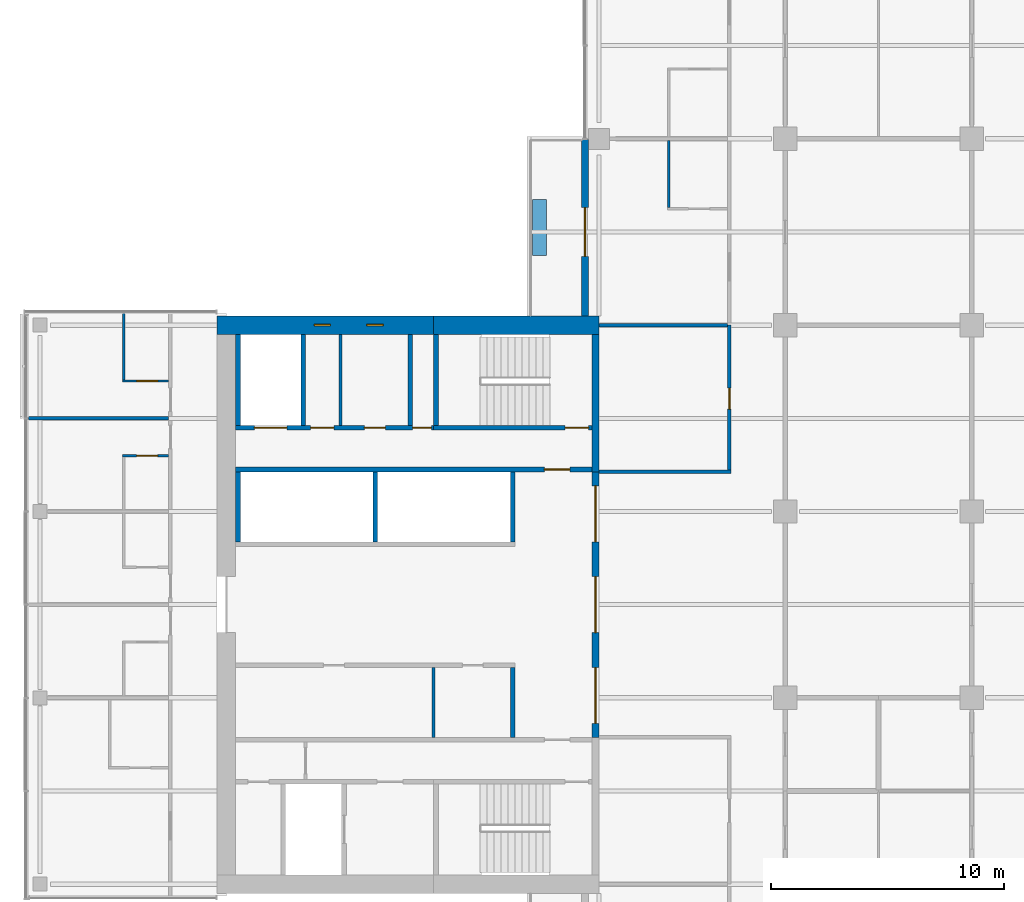
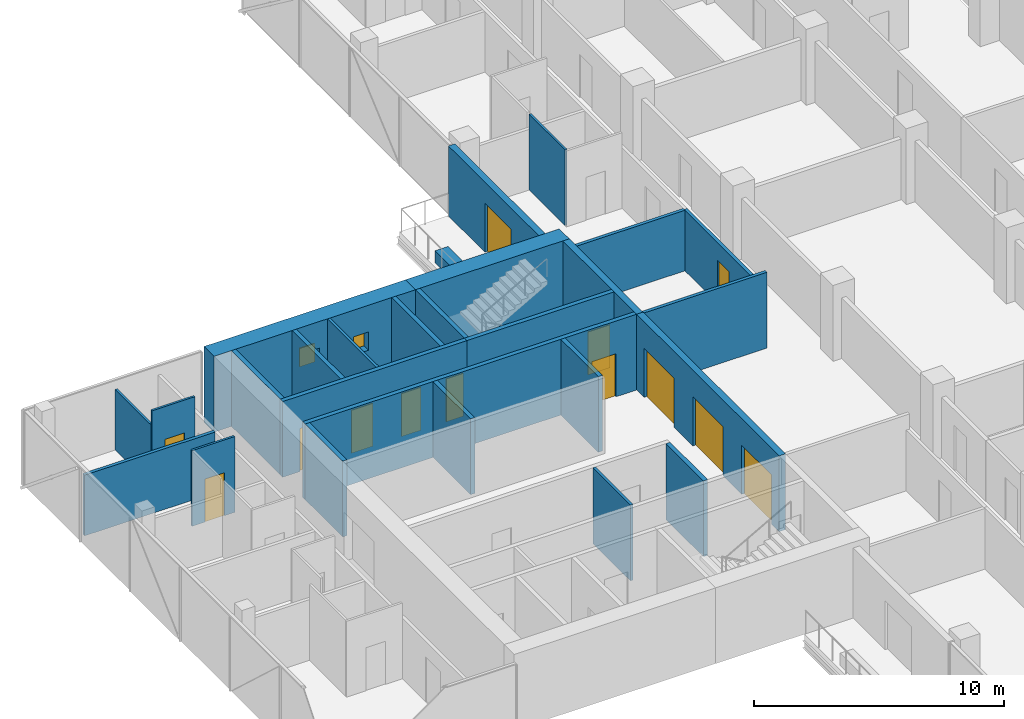
# One storey, part 17 of 25: 27 walls, 13 doors, 2 windows, 15 openings.
"""IFC4 building model written with IfcOpenShell, lengths in metres."""

import ifcopenshell
import ifcopenshell.guid

model = None  # the IFC model being written
_history = None  # IfcOwnerHistory: only IFC2X3 demands one
_inside = {}  # id of a spatial element -> (the spatial element, [elements in it])
_under = {}  # id of a project, library or spatial element -> (it, [spatial elements below it])
_declared = {}  # id of a project -> (the project, [libraries it declares])
_typed = {}  # id of a type object -> (the type object, [elements of that type])
_made_of = {}  # id of a material, layer set ... -> (it, [elements and type objects made of it])


def new_model(schema):
    """Start an empty IFC model of exactly this schema.

    Asked for "IFC4X3", IfcOpenShell would pick the latest addendum, in which some entities
    have other attributes; the version numbers below select the first issue.
    IFC2X3 requires an IfcOwnerHistory on every rooted entity: one is made here for all.
    """
    global model, _history
    if schema == "IFC4X3":
        model = ifcopenshell.file(schema_version=(4, 3, 0, 0))
    else:
        model = ifcopenshell.file(schema=schema)
    _inside.clear()
    _under.clear()
    _declared.clear()
    _typed.clear()
    _made_of.clear()
    _history = None
    if model.schema == "IFC2X3":
        org = make("IfcOrganization", Name="unknown")
        user = make(
            "IfcPersonAndOrganization",
            ThePerson=make("IfcPerson", FamilyName="unknown"),
            TheOrganization=org,
        )
        app = make(
            "IfcApplication",
            ApplicationDeveloper=org,
            Version="unknown",
            ApplicationFullName="unknown",
            ApplicationIdentifier="unknown",
        )
        _history = make(
            "IfcOwnerHistory",
            OwningUser=user,
            OwningApplication=app,
            ChangeAction="ADDED",
            CreationDate=0,
        )
    return model


def make(cls, **values):
    """One entity of the class cls with the attributes given. An attribute that is None is left unset."""
    return model.create_entity(
        cls, **{name: value for name, value in values.items() if value is not None}
    )


def rooted(cls, **values):
    """An entity with a GlobalId (a new one), such as an element, a storey or a relation."""
    return make(cls, GlobalId=ifcopenshell.guid.new(), OwnerHistory=_history, **values)


def si_unit(unit_type, name, prefix=None):
    """IfcSIUnit, for example si_unit("LENGTHUNIT", "METRE", prefix="MILLI")."""
    return make("IfcSIUnit", UnitType=unit_type, Prefix=prefix, Name=name)


def assignment(units):
    """IfcUnitAssignment: the units of a project."""
    return None if units is None else make("IfcUnitAssignment", Units=units)


def point(xyz):
    """IfcCartesianPoint."""
    return None if xyz is None else make("IfcCartesianPoint", Coordinates=xyz)


def direction(xyz):
    """IfcDirection."""
    return None if xyz is None else make("IfcDirection", DirectionRatios=xyz)


def frame(location, z_axis=None, x_axis=None):
    """IfcAxis2Placement3D, a coordinate frame: its origin and axes. An axis left out is left unset."""
    return make(
        "IfcAxis2Placement3D",
        Location=point(location),
        Axis=direction(z_axis),
        RefDirection=direction(x_axis),
    )


def frame_2d(location, x_axis=None):
    """IfcAxis2Placement2D, a coordinate frame in the plane: its origin and x axis."""
    return make(
        "IfcAxis2Placement2D", Location=point(location), RefDirection=direction(x_axis)
    )


def origin():
    """The frame at (0, 0, 0) with its axes left unset."""
    return frame((0.0, 0.0, 0.0))


def place(relative_to, where):
    """IfcLocalPlacement: puts the frame where relative to a parent placement (None: the world)."""
    return make(
        "IfcLocalPlacement", PlacementRelTo=relative_to, RelativePlacement=where
    )


def context(
    kind, dimensions, precision=None, world=None, true_north=None, identifier=None
):
    """IfcGeometricRepresentationContext, for example the 3D "Model" context."""
    return make(
        "IfcGeometricRepresentationContext",
        ContextIdentifier=identifier,
        ContextType=kind,
        CoordinateSpaceDimension=dimensions,
        Precision=precision,
        WorldCoordinateSystem=world,
        TrueNorth=true_north,
    )


def subcontext(parent, identifier, kind, view, scale=None):
    """IfcGeometricRepresentationSubContext, for example "Body" below "Model"."""
    return make(
        "IfcGeometricRepresentationSubContext",
        ContextIdentifier=identifier,
        ContextType=kind,
        ParentContext=parent,
        TargetScale=scale,
        TargetView=view,
    )


def project(units=None, contexts=None):
    """IfcProject with its units and contexts."""
    return rooted(
        "IfcProject",
        Name="project",
        RepresentationContexts=contexts,
        UnitsInContext=assignment(units),
    )


def spatial(cls, under=None, at=None, **own):
    """A site, building, storey or space (cls), placed at a placement, below another one or the project."""
    s = rooted(cls, ObjectPlacement=at, **own)
    if under is not None:
        _under.setdefault(under.id(), (under, []))[1].append(s)
    return s


def profile(cls, at=None, kind="AREA", **sizes):
    """A parametric profile (cls). Its sizes go by their IFC names, for example OverallWidth=200.0."""
    return make(cls, ProfileType=kind, Position=at, **sizes)


def rectangle(**sizes):
    """IfcRectangleProfileDef."""
    return profile("IfcRectangleProfileDef", **sizes)


def extrude(swept, where, along, depth):
    """IfcExtrudedAreaSolid: the profile swept, set in the frame where, extruded along a direction by depth."""
    return make(
        "IfcExtrudedAreaSolid",
        SweptArea=swept,
        Position=where,
        ExtrudedDirection=direction(along),
        Depth=depth,
    )


def shape(context_of_items, identifier, shape_type, items):
    """IfcShapeRepresentation: the items that make up one representation, for example the "Body"."""
    return make(
        "IfcShapeRepresentation",
        ContextOfItems=context_of_items,
        RepresentationIdentifier=identifier,
        RepresentationType=shape_type,
        Items=items,
    )


def material(Name=None, Category=None):
    """IfcMaterial."""
    return make("IfcMaterial", Name=Name, Category=Category)


def layer(
    of_material, thickness, ventilated=None, Name=None, Category=None, Priority=None
):
    """IfcMaterialLayer: one layer of a wall or slab, of a material (None: an air gap)."""
    return make(
        "IfcMaterialLayer",
        Material=of_material,
        LayerThickness=thickness,
        IsVentilated=ventilated,
        Name=Name,
        Category=Category,
        Priority=Priority,
    )


def layer_set(layers, Name=None):
    """IfcMaterialLayerSet."""
    return make("IfcMaterialLayerSet", MaterialLayers=layers, LayerSetName=Name)


def constituent(of_material, Name=None, Category=None, fraction=None):
    """IfcMaterialConstituent: one of the materials an element consists of."""
    return make(
        "IfcMaterialConstituent",
        Name=Name,
        Material=of_material,
        Fraction=fraction,
        Category=Category,
    )


def constituent_set(constituents=None, Name=None):
    """IfcMaterialConstituentSet."""
    return make(
        "IfcMaterialConstituentSet", Name=Name, MaterialConstituents=constituents
    )


def made_of(thing, what):
    """Note that an element or type object is made of a material, layer set ...; save() writes the relation."""
    if what is not None:
        _made_of.setdefault(what.id(), (what, []))[1].append(thing)
    return thing


def type_object(cls, material=None, **own):
    """A type object (cls), such as IfcWallType, which elements share."""
    return made_of(rooted(cls, **own), material)


def element(
    cls,
    number,
    at=None,
    inside=None,
    cuts=None,
    type_object=None,
    material=None,
    context=None,
    identifier="Body",
    shape_type=None,
    held_by="IfcProductDefinitionShape",
    body=None,
    shapes=None,
    **own,
):
    """One element of the class cls, such as IfcWall. Its Tag is "e" and its number.

    at: its placement. inside: the storey or other place that contains it. cuts: it is an
    opening in that element (IfcRelVoidsElement). A single representation is given by context,
    identifier, shape_type and body (its items); several are given by shapes. held_by: the class
    of the entity that holds the representations. save() writes the other relations.
    """
    e = rooted(cls, Tag="e%d" % number, ObjectPlacement=at, **own)
    if body is not None:
        shapes = [shape(context, identifier, shape_type, body)]
    if shapes is not None:
        e.Representation = make(held_by, Representations=shapes)
    if inside is not None:
        _inside.setdefault(inside.id(), (inside, []))[1].append(e)
    if cuts is not None:
        rooted(
            "IfcRelVoidsElement", RelatingBuildingElement=cuts, RelatedOpeningElement=e
        )
    if type_object is not None:
        _typed.setdefault(type_object.id(), (type_object, []))[1].append(e)
    return made_of(e, material)


def fill(opening, filler):
    """IfcRelFillsElement: the door or window that sits in an opening."""
    return rooted(
        "IfcRelFillsElement",
        RelatingOpeningElement=opening,
        RelatedBuildingElement=filler,
    )


def aggregate(whole, parts):
    """IfcRelAggregates: a whole, such as a stair, and the parts it consists of."""
    return rooted("IfcRelAggregates", RelatingObject=whole, RelatedObjects=parts)


def save(model, path):
    """Write the relations noted so far, then the file.

    IfcRelAggregates (storeys below a building ...), IfcRelContainedInSpatialStructure (elements
    in a storey), IfcRelDefinesByType, IfcRelAssociatesMaterial and IfcRelDeclares: one each for
    every whole, place, type object, material and project.
    """
    for whole, parts in _under.values():
        aggregate(whole, parts)
    for where, things in _inside.values():
        rooted(
            "IfcRelContainedInSpatialStructure",
            RelatedElements=things,
            RelatingStructure=where,
        )
    for kind, things in _typed.values():
        rooted("IfcRelDefinesByType", RelatedObjects=things, RelatingType=kind)
    for what, things in _made_of.values():
        rooted("IfcRelAssociatesMaterial", RelatedObjects=things, RelatingMaterial=what)
    for by, libraries in _declared.values():
        rooted("IfcRelDeclares", RelatingContext=by, RelatedDefinitions=libraries)
    model.write(path)


model = new_model("IFC4")

# Units and contexts
model_context = context("Model", 3, precision=1e-05, world=origin(), true_north=direction((0.0, 1.0)))
body_context = subcontext(model_context, "Body", "Model", "MODEL_VIEW")
ifc_project = project(units=[si_unit("LENGTHUNIT", "METRE"), si_unit("AREAUNIT", "SQUARE_METRE"), si_unit("VOLUMEUNIT", "CUBIC_METRE"), si_unit("PLANEANGLEUNIT", "RADIAN"), si_unit("MASSUNIT", "GRAM", prefix="KILO")], contexts=[model_context])

# Site, building, storey
site_placement = place(None, origin())
site = spatial("IfcSite", under=ifc_project, at=site_placement, CompositionType="ELEMENT")
building_placement = place(site_placement, origin())
building = spatial("IfcBuilding", under=site, at=building_placement, Name="Crosswind Convention Tower", CompositionType="ELEMENT")
storey_placement = place(building_placement, frame((0.0, 0.0, 97.89990234375)))
storey = spatial("IfcBuildingStorey", under=building, at=storey_placement, Name="L19", CompositionType="ELEMENT", Elevation=97.89990234375)

# Walls
ifc_material_1 = material(Name="Concrete blockwork", Category="masonry")
ifc_layer_1 = layer(ifc_material_1, 0.199951171875)
ifc_layer_set_1 = layer_set([ifc_layer_1], Name="Blockwork partition wall 200")
wall_type_1 = type_object("IfcWallType", Name="Blockwork partition wall 200", PredefinedType="PARTITIONING", material=ifc_layer_set_1)
wall_1_placement = place(storey_placement, frame((104.89990234375, 111.60009765625, 0.0), z_axis=(0.0, 0.0, 1.0), x_axis=(0.0, -1.0, 0.0)))
element("IfcWall", 1, at=wall_1_placement, inside=storey, type_object=wall_type_1, Name="Wall MRSE W L19", PredefinedType="PARTITIONING", context=body_context, shape_type="SweptSolid", body=[
    extrude(rectangle(XDim=3.900146484375, YDim=0.199951171875, at=frame_2d((1.9501953125, 0.0))), origin(), (0.0, 0.0, 1.0), 3.7001953125),
])
ifc_material_2 = material(Name="Plasterboard partition", Category="gypsum")
ifc_layer_2 = layer(ifc_material_2, 0.14990234375)
ifc_layer_set_2 = layer_set([ifc_layer_2], Name="CORRIDOR WALL 150")
wall_type_2 = type_object("IfcWallType", Name="CORRIDOR WALL 150", PredefinedType="PARTITIONING", material=ifc_layer_set_2)
wall_2_placement = place(storey_placement, frame((113.0, 105.699951171875, 0.0), z_axis=(0.0, 0.0, 1.0), x_axis=(1.0, 0.0, 0.0)))
element("IfcWall", 2, at=wall_2_placement, inside=storey, type_object=wall_type_2, Name="Corridor Wall 32", PredefinedType="PARTITIONING", context=body_context, shape_type="SweptSolid", body=[
    extrude(rectangle(XDim=5.675048828125, YDim=0.14990234375, at=frame_2d((2.83740234375, 0.0))), origin(), (0.0, 0.0, 1.0), 3.7001953125),
])

# Wall, opening, door
wall_3_placement = place(storey_placement, frame((118.60009765625, 105.77490234375, 0.0), z_axis=(0.0, 0.0, 1.0), x_axis=(0.0, 1.0, 0.0)))
wall_3 = element("IfcWall", 3, at=wall_3_placement, inside=storey, type_object=wall_type_2, Name="Corridor Wall 64", PredefinedType="PARTITIONING", context=body_context, shape_type="SweptSolid", body=[
    extrude(rectangle(XDim=6.22509765625, YDim=0.14990234375, at=frame_2d((3.112548828125, 0.0))), origin(), (0.0, 0.0, 1.0), 2.95654296875),
])
opening_1_placement = place(wall_3_placement, frame((2.625, 0.0, 0.0)))
opening_1 = element("IfcOpeningElement", 4, at=opening_1_placement, cuts=wall_3, Name="Opening 19.003", PredefinedType="OPENING", context=body_context, shape_type="SweptSolid", body=[
    extrude(rectangle(XDim=0.89990234375, YDim=2.10009765625, at=frame_2d((0.449951171875, 1.050048828125))), frame((0.0, 0.0849609375, 0.0), z_axis=(0.0, -1.0, 0.0), x_axis=(1.0, 0.0, 0.0)), (0.0, 0.0, 1.0), 0.169921875),
])
ifc_material_3 = material(Name="Timber door", Category="wood")
door_type_1 = type_object("IfcDoorType", Name="WC DOOR 900X2100", OperationType="NOTDEFINED", PredefinedType="DOOR", material=ifc_material_3)
door_1_placement = place(opening_1_placement, origin())
door_1 = element("IfcDoor", 5, at=door_1_placement, inside=storey, type_object=door_type_1, Name="Door 19.003", ObjectType="D7", OperationType="SINGLE_SWING_RIGHT", OverallHeight=2.10009765625, OverallWidth=0.89990234375, PredefinedType="DOOR", context=body_context, shape_type="SweptSolid", body=[
    extrude(rectangle(XDim=0.89990234375, YDim=2.10009765625, at=frame_2d((0.449951171875, 1.050048828125))), frame((0.0, 0.02490234375, 0.0), z_axis=(0.0, -1.0, 0.0), x_axis=(1.0, 0.0, 0.0)), (0.0, 0.0, 1.0), 0.050048828125),
])
fill(opening_1, door_1)

# Wall, openings, doors
ifc_material_4 = material(Name="Concrete C50/60", Category="concrete")
ifc_layer_3 = layer(ifc_material_4, 0.300048828125)
ifc_layer_set_3 = layer_set([ifc_layer_3], Name="Concrete C50/60")
wall_type_3 = type_object("IfcWallType", Name="Concrete inner core wall 300", PredefinedType="SHEAR", material=ifc_layer_set_3)
wall_4_placement = place(storey_placement, frame((112.85009765625, 105.699951171875, 0.0), z_axis=(0.0, 0.0, 1.0), x_axis=(0.0, -1.0, 0.0)))
wall_4 = element("IfcWall", 6, at=wall_4_placement, inside=storey, type_object=wall_type_3, Name="Wall SCR W L19", PredefinedType="SHEAR", context=body_context, shape_type="SweptSolid", body=[
    extrude(rectangle(XDim=11.39990234375, YDim=0.300048828125, at=frame_2d((5.699951171875, 0.0))), origin(), (0.0, 0.0, 1.0), 3.7001953125),
])
opening_2_placement = place(wall_4_placement, frame((0.60009765625, 0.0, 0.0)))
opening_2 = element("IfcOpeningElement", 7, at=opening_2_placement, cuts=wall_4, Name="Opening D100", PredefinedType="OPENING", context=body_context, shape_type="SweptSolid", body=[
    extrude(rectangle(XDim=2.39990234375, YDim=2.39990234375, at=frame_2d((1.199951171875, 1.199951171875))), frame((0.0, 0.159912109375, 0.0), z_axis=(0.0, -1.0, 0.0), x_axis=(1.0, 0.0, 0.0)), (0.0, 0.0, 1.0), 0.320068359375),
])
opening_3_placement = place(wall_4_placement, frame((4.5, 0.0, 0.0)))
opening_3 = element("IfcOpeningElement", 8, at=opening_3_placement, cuts=wall_4, Name="Opening D100", PredefinedType="OPENING", context=body_context, shape_type="SweptSolid", body=[
    extrude(rectangle(XDim=2.39990234375, YDim=2.39990234375, at=frame_2d((1.199951171875, 1.199951171875))), frame((0.0, 0.159912109375, 0.0), z_axis=(0.0, -1.0, 0.0), x_axis=(1.0, 0.0, 0.0)), (0.0, 0.0, 1.0), 0.320068359375),
])
opening_4_placement = place(wall_4_placement, frame((8.39990234375, 0.0, 0.0)))
opening_4 = element("IfcOpeningElement", 9, at=opening_4_placement, cuts=wall_4, Name="Opening D100", PredefinedType="OPENING", context=body_context, shape_type="SweptSolid", body=[
    extrude(rectangle(XDim=2.39990234375, YDim=2.39990234375, at=frame_2d((1.199951171875, 1.199951171875))), frame((0.0, 0.159912109375, 0.0), z_axis=(0.0, -1.0, 0.0), x_axis=(1.0, 0.0, 0.0)), (0.0, 0.0, 1.0), 0.320068359375),
])
ifc_material_5 = material(Name="Steel fire door with glazed vision panels", Category="steel")
door_type_2 = type_object("IfcDoorType", Name="Fire-rated double door 2400x2400", OperationType="DOUBLE_DOOR_SINGLE_SWING", PredefinedType="DOOR", material=ifc_material_5)
door_2_placement = place(opening_2_placement, origin())
door_2 = element("IfcDoor", 10, at=door_2_placement, inside=storey, type_object=door_type_2, Name="Lobby door 1 L19", ObjectType="D100", OperationType="DOUBLE_DOOR_SINGLE_SWING", OverallHeight=2.39990234375, OverallWidth=2.39990234375, PredefinedType="DOOR", context=body_context, shape_type="SweptSolid", body=[
    extrude(rectangle(XDim=2.39990234375, YDim=2.39990234375, at=frame_2d((1.199951171875, 1.199951171875))), frame((0.0, 0.02490234375, 0.0), z_axis=(0.0, -1.0, 0.0), x_axis=(1.0, 0.0, 0.0)), (0.0, 0.0, 1.0), 0.050048828125),
])
fill(opening_2, door_2)
door_3_placement = place(opening_3_placement, origin())
door_3 = element("IfcDoor", 11, at=door_3_placement, inside=storey, type_object=door_type_2, Name="Lobby door 2 L19", ObjectType="D100", OperationType="DOUBLE_DOOR_SINGLE_SWING", OverallHeight=2.39990234375, OverallWidth=2.39990234375, PredefinedType="DOOR", context=body_context, shape_type="SweptSolid", body=[
    extrude(rectangle(XDim=2.39990234375, YDim=2.39990234375, at=frame_2d((1.199951171875, 1.199951171875))), frame((0.0, 0.02490234375, 0.0), z_axis=(0.0, -1.0, 0.0), x_axis=(1.0, 0.0, 0.0)), (0.0, 0.0, 1.0), 0.050048828125),
])
fill(opening_3, door_3)
door_4_placement = place(opening_4_placement, origin())
door_4 = element("IfcDoor", 12, at=door_4_placement, inside=storey, type_object=door_type_2, Name="Lobby door 3 L19", ObjectType="D100", OperationType="DOUBLE_DOOR_SINGLE_SWING", OverallHeight=2.39990234375, OverallWidth=2.39990234375, PredefinedType="DOOR", context=body_context, shape_type="SweptSolid", body=[
    extrude(rectangle(XDim=2.39990234375, YDim=2.39990234375, at=frame_2d((1.199951171875, 1.199951171875))), frame((0.0, 0.02490234375, 0.0), z_axis=(0.0, -1.0, 0.0), x_axis=(1.0, 0.0, 0.0)), (0.0, 0.0, 1.0), 0.050048828125),
])
fill(opening_4, door_4)

# Walls
wall_5_placement = place(storey_placement, frame((112.85009765625, 111.60009765625, 0.0), z_axis=(0.0, 0.0, 1.0), x_axis=(0.0, -1.0, 0.0)))
element("IfcWall", 13, at=wall_5_placement, inside=storey, type_object=wall_type_3, Name="Wall EM W L19", PredefinedType="SHEAR", context=body_context, shape_type="SweptSolid", body=[
    extrude(rectangle(XDim=5.900146484375, YDim=0.300048828125, at=frame_2d((2.9501953125, 0.0))), origin(), (0.0, 0.0, 1.0), 3.7001953125),
])
ifc_layer_4 = layer(ifc_material_4, 0.199951171875)
ifc_layer_set_4 = layer_set([ifc_layer_4], Name="Concrete C50/60")
wall_type_4 = type_object("IfcWallType", Name="Concrete shaft and stair wall 200", PredefinedType="SHEAR", material=ifc_layer_set_4)
for number, where, z_axis, x_axis, name in (
    (14, (109.300048828125, 97.300048828125, 0.0), (0.0, 0.0, 1.0), (0.0, -1.0, 0.0), "Wall RPEND W L19"),
    (15, (109.300048828125, 105.699951171875, 0.0), (0.0, 0.0, 1.0), (0.0, -1.0, 0.0), "Wall RMEND W L19"),
    (16, (103.39990234375, 105.699951171875, 0.0), (0.0, 0.0, 1.0), (0.0, -1.0, 0.0), "Wall RMSEP W L19"),
    (17, (97.5, 105.699951171875, 0.0), (0.0, 0.0, 1.0), (0.0, -1.0, 0.0), "Wall RMEAST W L19"),
):
    element("IfcWall", number, at=place(storey_placement, frame(where, z_axis=z_axis, x_axis=x_axis)), inside=storey, type_object=wall_type_4, Name=name, PredefinedType="SHEAR", context=body_context, shape_type="SweptSolid", body=[
        extrude(rectangle(XDim=3.0, YDim=0.199951171875, at=frame_2d((1.5, 0.0))), origin(), (0.0, 0.0, 1.0), 3.7001953125),
    ])

# Wall, opening, door
wall_6_placement = place(storey_placement, frame((112.699951171875, 105.800048828125, 0.0), z_axis=(0.0, 0.0, 1.0), x_axis=(-1.0, 0.0, 0.0)))
wall_6 = element("IfcWall", 18, at=wall_6_placement, inside=storey, type_object=wall_type_4, Name="Wall HM W L19", PredefinedType="SHEAR", context=body_context, shape_type="SweptSolid", body=[
    extrude(rectangle(XDim=15.300048828125, YDim=0.199951171875, at=frame_2d((7.64990234375, 0.0))), origin(), (0.0, 0.0, 1.0), 3.7001953125),
])
opening_5_placement = place(wall_6_placement, frame((0.949951171875, 0.0, 0.0)))
opening_5 = element("IfcOpeningElement", 19, at=opening_5_placement, cuts=wall_6, Name="Opening D104", PredefinedType="OPENING", context=body_context, shape_type="SweptSolid", body=[
    extrude(rectangle(XDim=1.10009765625, YDim=2.10009765625, at=frame_2d((0.550048828125, 1.050048828125))), frame((0.0, 0.10986328125, 0.0), z_axis=(0.0, -1.0, 0.0), x_axis=(1.0, 0.0, 0.0)), (0.0, 0.0, 1.0), 0.219970703125),
])
ifc_material_6 = material(Name="Steel fire door", Category="steel")
door_type_3 = type_object("IfcDoorType", Name="Fire-rated single door 1100x2100", OperationType="NOTDEFINED", PredefinedType="DOOR", material=ifc_material_6)
door_5_placement = place(opening_5_placement, origin())
door_5 = element("IfcDoor", 20, at=door_5_placement, inside=storey, type_object=door_type_3, Name="Corridor door L19", ObjectType="D104", OperationType="SINGLE_SWING_LEFT", OverallHeight=2.10009765625, OverallWidth=1.10009765625, PredefinedType="DOOR", context=body_context, shape_type="SweptSolid", body=[
    extrude(rectangle(XDim=1.10009765625, YDim=2.10009765625, at=frame_2d((0.550048828125, 1.050048828125))), frame((0.0, 0.02490234375, 0.0), z_axis=(0.0, -1.0, 0.0), x_axis=(1.0, 0.0, 0.0)), (0.0, 0.0, 1.0), 0.050048828125),
])
fill(opening_5, door_5)

# Walls
for number, where, z_axis, x_axis, name in (
    (21, (106.0, 111.60009765625, 0.0), (0.0, 0.0, 1.0), (0.0, -1.0, 0.0), "Wall MSE W L19"),
    (22, (100.300048828125, 111.60009765625, 0.0), (0.0, 0.0, 1.0), (0.0, -1.0, 0.0), "Wall MFSW W L19"),
    (23, (97.5, 111.60009765625, 0.0), (0.0, 0.0, 1.0), (0.0, -1.0, 0.0), "Wall MFSE W L19"),
):
    element("IfcWall", number, at=place(storey_placement, frame(where, z_axis=z_axis, x_axis=x_axis)), inside=storey, type_object=wall_type_4, Name=name, PredefinedType="SHEAR", context=body_context, shape_type="SweptSolid", body=[
        extrude(rectangle(XDim=3.900146484375, YDim=0.199951171875, at=frame_2d((1.9501953125, 0.0))), origin(), (0.0, 0.0, 1.0), 3.7001953125),
    ])

# Wall, opening, door
wall_7_placement = place(storey_placement, frame((112.699951171875, 107.60009765625, 0.0), z_axis=(0.0, 0.0, 1.0), x_axis=(-1.0, 0.0, 0.0)))
wall_7 = element("IfcWall", 24, at=wall_7_placement, inside=storey, type_object=wall_type_4, Name="Wall MCW W L19", PredefinedType="SHEAR", context=body_context, shape_type="SweptSolid", body=[
    extrude(rectangle(XDim=6.800048828125, YDim=0.199951171875, at=frame_2d((3.39990234375, 0.0))), origin(), (0.0, 0.0, 1.0), 3.7001953125),
])
opening_6_placement = place(wall_7_placement, frame((0.14990234375, 0.0, 0.0)))
opening_6 = element("IfcOpeningElement", 25, at=opening_6_placement, cuts=wall_7, Name="Opening D103", PredefinedType="OPENING", context=body_context, shape_type="SweptSolid", body=[
    extrude(rectangle(XDim=1.0, YDim=2.10009765625, at=frame_2d((0.5, 1.050048828125))), frame((0.0, 0.10986328125, 0.0), z_axis=(0.0, -1.0, 0.0), x_axis=(1.0, 0.0, 0.0)), (0.0, 0.0, 1.0), 0.219970703125),
])
door_type_4 = type_object("IfcDoorType", Name="Fire-rated single door 1000x2100", OperationType="NOTDEFINED", PredefinedType="DOOR", material=ifc_material_6)
door_6_placement = place(opening_6_placement, frame((1.0, 0.0, 0.0), z_axis=(0.0, 0.0, 1.0), x_axis=(-1.0, 0.0, 0.0)))
door_6 = element("IfcDoor", 26, at=door_6_placement, inside=storey, type_object=door_type_4, Name="Stair ST4 door L19", ObjectType="D103", OperationType="SINGLE_SWING_RIGHT", OverallHeight=2.10009765625, OverallWidth=1.0, PredefinedType="DOOR", context=body_context, shape_type="SweptSolid", body=[
    extrude(rectangle(XDim=1.0, YDim=2.10009765625, at=frame_2d((0.5, 1.050048828125))), frame((0.0, 0.02490234375, 0.0), z_axis=(0.0, -1.0, 0.0), x_axis=(1.0, 0.0, 0.0)), (0.0, 0.0, 1.0), 0.050048828125),
])
fill(opening_6, door_6)

# Wall, openings, doors
wall_8_placement = place(storey_placement, frame((105.89990234375, 107.60009765625, 0.0), z_axis=(0.0, 0.0, 1.0), x_axis=(-1.0, 0.0, 0.0)))
wall_8 = element("IfcWall", 27, at=wall_8_placement, inside=storey, type_object=wall_type_4, Name="Wall MCX W L19", PredefinedType="SHEAR", context=body_context, shape_type="SweptSolid", body=[
    extrude(rectangle(XDim=8.5, YDim=0.199951171875, at=frame_2d((4.25, 0.0))), origin(), (0.0, 0.0, 1.0), 3.7001953125),
])
opening_7_placement = place(wall_8_placement, frame((0.10009765625, 0.0, 0.0)))
opening_7 = element("IfcOpeningElement", 28, at=opening_7_placement, cuts=wall_8, Name="Opening D105", PredefinedType="OPENING", context=body_context, shape_type="SweptSolid", body=[
    extrude(rectangle(XDim=0.800048828125, YDim=2.10009765625, at=frame_2d((0.39990234375, 1.050048828125))), frame((0.0, 0.10986328125, 0.0), z_axis=(0.0, -1.0, 0.0), x_axis=(1.0, 0.0, 0.0)), (0.0, 0.0, 1.0), 0.219970703125),
])
opening_8_placement = place(wall_8_placement, frame((2.07080078125, 0.0, 0.0)))
opening_8 = element("IfcOpeningElement", 29, at=opening_8_placement, cuts=wall_8, Name="Opening D106", PredefinedType="OPENING", context=body_context, shape_type="SweptSolid", body=[
    extrude(rectangle(XDim=0.89990234375, YDim=2.10009765625, at=frame_2d((0.449951171875, 1.050048828125))), frame((0.0, 0.10986328125, 0.0), z_axis=(0.0, -1.0, 0.0), x_axis=(1.0, 0.0, 0.0)), (0.0, 0.0, 1.0), 0.219970703125),
])
opening_9_placement = place(wall_8_placement, frame((4.283203125, 0.0, 0.0)))
opening_9 = element("IfcOpeningElement", 30, at=opening_9_placement, cuts=wall_8, Name="Opening D103", PredefinedType="OPENING", context=body_context, shape_type="SweptSolid", body=[
    extrude(rectangle(XDim=1.0, YDim=2.10009765625, at=frame_2d((0.5, 1.050048828125))), frame((0.0, 0.10986328125, 0.0), z_axis=(0.0, -1.0, 0.0), x_axis=(1.0, 0.0, 0.0)), (0.0, 0.0, 1.0), 0.219970703125),
])
opening_10_placement = place(wall_8_placement, frame((6.300048828125, 0.0, 0.0)))
opening_10 = element("IfcOpeningElement", 31, at=opening_10_placement, cuts=wall_8, Name="Opening LD2", PredefinedType="OPENING", context=body_context, shape_type="SweptSolid", body=[
    extrude(rectangle(XDim=1.39990234375, YDim=2.10009765625, at=frame_2d((0.699951171875, 1.050048828125))), frame((0.0, 0.10986328125, 0.0), z_axis=(0.0, -1.0, 0.0), x_axis=(1.0, 0.0, 0.0)), (0.0, 0.0, 1.0), 0.219970703125),
])
door_7_placement = place(opening_9_placement, frame((1.0, 0.0, 0.0), z_axis=(0.0, 0.0, 1.0), x_axis=(-1.0, 0.0, 0.0)))
door_7 = element("IfcDoor", 32, at=door_7_placement, inside=storey, type_object=door_type_4, Name="Door to accessible wc L19", ObjectType="D103", OperationType="SINGLE_SWING_LEFT", OverallHeight=2.10009765625, OverallWidth=1.0, PredefinedType="DOOR", context=body_context, shape_type="SweptSolid", body=[
    extrude(rectangle(XDim=1.0, YDim=2.10009765625, at=frame_2d((0.5, 1.050048828125))), frame((0.0, 0.02490234375, 0.0), z_axis=(0.0, -1.0, 0.0), x_axis=(1.0, 0.0, 0.0)), (0.0, 0.0, 1.0), 0.050048828125),
])
fill(opening_9, door_7)
ifc_material_7 = material(Name="Stainless steel", Category="steel")
door_type_5 = type_object("IfcDoorType", Name="Lift landing door 1400x2100", OperationType="DOUBLE_DOOR_SLIDING", PredefinedType="DOOR", material=ifc_material_7)
door_8_placement = place(opening_10_placement, origin())
door_8 = element("IfcDoor", 33, at=door_8_placement, inside=storey, type_object=door_type_5, Name="Landing door SV2 L19", ObjectType="LD2", OperationType="DOUBLE_DOOR_SLIDING", OverallHeight=2.10009765625, OverallWidth=1.39990234375, PredefinedType="DOOR", context=body_context, shape_type="SweptSolid", body=[
    extrude(rectangle(XDim=1.39990234375, YDim=2.10009765625, at=frame_2d((0.699951171875, 1.050048828125))), frame((0.0, 0.02490234375, 0.0), z_axis=(0.0, -1.0, 0.0), x_axis=(1.0, 0.0, 0.0)), (0.0, 0.0, 1.0), 0.050048828125),
])
fill(opening_10, door_8)
door_type_6 = type_object("IfcDoorType", Name="Riser access door 800x2100", OperationType="NOTDEFINED", PredefinedType="DOOR", material=ifc_material_6)
door_9_placement = place(opening_7_placement, frame((0.800048828125, 0.0, 0.0), z_axis=(0.0, 0.0, 1.0), x_axis=(-1.0, 0.0, 0.0)))
door_9 = element("IfcDoor", 34, at=door_9_placement, inside=storey, type_object=door_type_6, Name="Riser door L19", ObjectType="D105", OperationType="SINGLE_SWING_LEFT", OverallHeight=2.10009765625, OverallWidth=0.800048828125, PredefinedType="DOOR", context=body_context, shape_type="SweptSolid", body=[
    extrude(rectangle(XDim=0.800048828125, YDim=2.10009765625, at=frame_2d((0.39990234375, 1.050048828125))), frame((0.0, 0.02490234375, 0.0), z_axis=(0.0, -1.0, 0.0), x_axis=(1.0, 0.0, 0.0)), (0.0, 0.0, 1.0), 0.050048828125),
])
fill(opening_7, door_9)
door_type_7 = type_object("IfcDoorType", Name="Single leaf door 900x2100", OperationType="NOTDEFINED", PredefinedType="DOOR", material=ifc_material_3)
door_10_placement = place(opening_8_placement, frame((0.89990234375, 0.0, 0.0), z_axis=(0.0, 0.0, 1.0), x_axis=(-1.0, 0.0, 0.0)))
door_10 = element("IfcDoor", 35, at=door_10_placement, inside=storey, type_object=door_type_7, Name="Door to wc L19", ObjectType="D106", OperationType="SINGLE_SWING_LEFT", OverallHeight=2.10009765625, OverallWidth=0.89990234375, PredefinedType="DOOR", context=body_context, shape_type="SweptSolid", body=[
    extrude(rectangle(XDim=0.89990234375, YDim=2.10009765625, at=frame_2d((0.449951171875, 1.050048828125))), frame((0.0, 0.02490234375, 0.0), z_axis=(0.0, -1.0, 0.0), x_axis=(1.0, 0.0, 0.0)), (0.0, 0.0, 1.0), 0.050048828125),
])
fill(opening_8, door_10)

# Walls
ifc_material_8 = material(Name="Gypsum plasterboard partition", Category="gypsum")
ifc_layer_5 = layer(ifc_material_8, 0.125)
ifc_layer_set_5 = layer_set([ifc_layer_5], Name="Drywall partition wall 125")
wall_type_5 = type_object("IfcWallType", Name="Drywall partition wall 125", PredefinedType="PARTITIONING", material=ifc_layer_set_5)
wall_9_placement = place(storey_placement, frame((105.89599609375, 97.300048828125, 0.0), z_axis=(0.0, 0.0, 1.0), x_axis=(0.0, -1.0, 0.0)))
element("IfcWall", 36, at=wall_9_placement, inside=storey, type_object=wall_type_5, Name="Wall RPP1 W L19", PredefinedType="PARTITIONING", context=body_context, shape_type="SweptSolid", body=[
    extrude(rectangle(XDim=3.0, YDim=0.125, at=frame_2d((1.5, 0.0))), origin(), (0.0, 0.0, 1.0), 3.7001953125),
])
wall_10_placement = place(storey_placement, frame((101.89599609375, 111.60009765625, 0.0), z_axis=(0.0, 0.0, 1.0), x_axis=(0.0, -1.0, 0.0)))
element("IfcWall", 37, at=wall_10_placement, inside=storey, type_object=wall_type_5, Name="Wall MWP1 W L19", PredefinedType="PARTITIONING", context=body_context, shape_type="SweptSolid", body=[
    extrude(rectangle(XDim=3.900146484375, YDim=0.125, at=frame_2d((1.9501953125, 0.0))), origin(), (0.0, 0.0, 1.0), 3.7001953125),
])
ifc_material_9 = material(Name="Acoustic plasterboard partition", Category="gypsum")
ifc_layer_6 = layer(ifc_material_9, 0.14990234375)
ifc_layer_set_6 = layer_set([ifc_layer_6], Name="GUEST ROOM WALL 150")
wall_type_6 = type_object("IfcWallType", Name="GUEST ROOM WALL 150", PredefinedType="PARTITIONING", material=ifc_layer_set_6)
wall_11_placement = place(storey_placement, frame((88.5, 108.0, 0.0), z_axis=(0.0, 0.0, 1.0), x_axis=(1.0, 0.0, 0.0)))
element("IfcWall", 38, at=wall_11_placement, inside=storey, type_object=wall_type_6, Name="Guest Room Wall 35", PredefinedType="PARTITIONING", context=body_context, shape_type="SweptSolid", body=[
    extrude(rectangle(XDim=6.02490234375, YDim=0.14990234375, at=frame_2d((3.012451171875, 0.0))), origin(), (0.0, 0.0, 1.0), 2.962890625),
])
wall_12_placement = place(storey_placement, frame((113.0, 112.0, 0.0), z_axis=(0.0, 0.0, 1.0), x_axis=(1.0, 0.0, 0.0)))
element("IfcWall", 39, at=wall_12_placement, inside=storey, type_object=wall_type_6, Name="Guest Room Wall 38", PredefinedType="PARTITIONING", context=body_context, shape_type="SweptSolid", body=[
    extrude(rectangle(XDim=5.52490234375, YDim=0.14990234375, at=frame_2d((2.762451171875, 0.0))), origin(), (0.0, 0.0, 1.0), 2.95654296875),
])
ifc_material_10 = material(Name="Concrete C30/37", Category="concrete")
ifc_layer_7 = layer(ifc_material_10, 0.60009765625)
ifc_layer_set_7 = layer_set([ifc_layer_7], Name="Concrete C30/37")
wall_type_7 = type_object("IfcWallType", Name="PLANTER BOX WALL 600", PredefinedType="SOLIDWALL", material=ifc_layer_set_7)
wall_13_placement = place(storey_placement, frame((110.449951171875, 117.39990234375, 0.0), z_axis=(0.0, 0.0, 1.0), x_axis=(0.0, -1.0, 0.0)))
element("IfcWall", 40, at=wall_13_placement, inside=storey, type_object=wall_type_7, Name="PLANTER L19 N-W.1-3", PredefinedType="SOLIDWALL", context=body_context, shape_type="SweptSolid", body=[
    extrude(rectangle(XDim=2.39990234375, YDim=0.60009765625, at=frame_2d((1.199951171875, 0.0))), origin(), (0.0, 0.0, 1.0), 0.60009765625),
])

# Wall, opening, door
ifc_material_11 = material(Name="Terracotta rainscreen", Category="ceramic")
ifc_layer_8 = layer(ifc_material_11, 0.02001953125)
ifc_material_12 = material(Name="Mineral wool insulation", Category="insulation")
ifc_layer_9 = layer(ifc_material_12, 0.10009765625)
ifc_layer_10 = layer(ifc_material_1, 0.179931640625)
ifc_layer_set_8 = layer_set([ifc_layer_8, ifc_layer_9, ifc_layer_10], Name="TERRACOTTA INFILL WALL 300")
wall_type_8 = type_object("IfcWallType", Name="TERRACOTTA INFILL WALL 300", PredefinedType="SOLIDWALL", material=ifc_layer_set_8)
wall_14_placement = place(storey_placement, frame((112.39990234375, 119.967529296875, 0.0), z_axis=(0.0, 0.0, 1.0), x_axis=(0.0, -1.0, 0.0)))
wall_14 = element("IfcWall", 41, at=wall_14_placement, inside=storey, type_object=wall_type_8, Name="Notch front wall L19 N-W.1-3", PredefinedType="SOLIDWALL", context=body_context, shape_type="SweptSolid", body=[
    extrude(rectangle(XDim=7.567626953125, YDim=0.300048828125, at=frame_2d((3.78369140625, 0.0))), origin(), (0.0, 0.0, 1.0), 3.420166015625),
])
opening_11_placement = place(wall_14_placement, frame((2.91748046875, 0.0, 0.0)))
opening_11 = element("IfcOpeningElement", 42, at=opening_11_placement, cuts=wall_14, Name="Opening D141", PredefinedType="OPENING", context=body_context, shape_type="SweptSolid", body=[
    extrude(rectangle(XDim=2.10009765625, YDim=2.39990234375, at=frame_2d((1.050048828125, 1.199951171875))), frame((0.0, 0.159912109375, 0.0), z_axis=(0.0, -1.0, 0.0), x_axis=(1.0, 0.0, 0.0)), (0.0, 0.0, 1.0), 0.320068359375),
])
ifc_material_13 = material(Name="Aluminium glazed door", Category="aluminium")
door_type_8 = type_object("IfcDoorType", Name="BALCONY SLIDING DOOR 2100X2400", OperationType="SLIDING_TO_LEFT", PredefinedType="DOOR", material=ifc_material_13)
door_11_placement = place(opening_11_placement, frame((2.10009765625, 0.0, 0.0), z_axis=(0.0, 0.0, 1.0), x_axis=(-1.0, 0.0, 0.0)))
door_11 = element("IfcDoor", 43, at=door_11_placement, inside=storey, type_object=door_type_8, Name="D141 balcony door L19 N-W.1-3", ObjectType="D141", OperationType="SLIDING_TO_LEFT", OverallHeight=2.39990234375, OverallWidth=2.10009765625, PredefinedType="DOOR", context=body_context, shape_type="SweptSolid", body=[
    extrude(rectangle(XDim=2.10009765625, YDim=2.39990234375, at=frame_2d((1.050048828125, 1.199951171875))), frame((0.0, 0.02490234375, 0.0), z_axis=(0.0, -1.0, 0.0), x_axis=(1.0, 0.0, 0.0)), (0.0, 0.0, 1.0), 0.050048828125),
])
fill(opening_11, door_11)

# Wall
ifc_material_14 = material(Name="Concrete C60/75", Category="concrete")
ifc_constituent_1 = constituent(ifc_material_14, Name="Structure")
ifc_constituent_2 = constituent(ifc_material_11, Name="Facing")
ifc_constituent_set = constituent_set(constituents=[ifc_constituent_1, ifc_constituent_2], Name="Concrete C60/75, Terracotta rainscreen")
wall_type_9 = type_object("IfcWallType", Name="Terracotta rainscreen on concrete core wall 800", PredefinedType="SHEAR", material=ifc_constituent_set)
wall_15_placement = place(storey_placement, frame((113.0, 112.0, 0.0), z_axis=(0.0, 0.0, 1.0), x_axis=(-1.0, 0.0, 0.0)))
element("IfcWall", 44, at=wall_15_placement, inside=storey, type_object=wall_type_9, Name="Wall S1 W L19", PredefinedType="SHEAR", context=body_context, shape_type="SweptSolid", body=[
    extrude(rectangle(XDim=7.10009765625, YDim=0.800048828125, at=frame_2d((3.550048828125, 0.0))), origin(), (0.0, 0.0, 1.0), 3.7001953125),
])

# Wall, openings, windows
wall_16_placement = place(storey_placement, frame((105.89990234375, 112.0, 0.0), z_axis=(0.0, 0.0, 1.0), x_axis=(-1.0, 0.0, 0.0)))
wall_16 = element("IfcWall", 45, at=wall_16_placement, inside=storey, type_object=wall_type_9, Name="Wall S2 W L19", PredefinedType="SHEAR", context=body_context, shape_type="SweptSolid", body=[
    extrude(rectangle(XDim=9.2998046875, YDim=0.800048828125, at=frame_2d((4.64990234375, 0.0))), origin(), (0.0, 0.0, 1.0), 3.7001953125),
])
opening_12_placement = place(wall_16_placement, frame((2.170654296875, 0.0, 1.5)))
opening_12 = element("IfcOpeningElement", 46, at=opening_12_placement, cuts=wall_16, Name="Opening W2", PredefinedType="OPENING", context=body_context, shape_type="SweptSolid", body=[
    extrude(rectangle(XDim=0.699951171875, YDim=0.89990234375, at=frame_2d((0.35009765625, 0.449951171875))), frame((0.0, 0.409912109375, 0.0), z_axis=(0.0, -1.0, 0.0), x_axis=(1.0, 0.0, 0.0)), (0.0, 0.0, 1.0), 0.820068359375),
])
opening_13_placement = place(wall_16_placement, frame((4.433349609375, 0.0, 1.5)))
opening_13 = element("IfcOpeningElement", 47, at=opening_13_placement, cuts=wall_16, Name="Opening W2", PredefinedType="OPENING", context=body_context, shape_type="SweptSolid", body=[
    extrude(rectangle(XDim=0.699951171875, YDim=0.89990234375, at=frame_2d((0.35009765625, 0.449951171875))), frame((0.0, 0.409912109375, 0.0), z_axis=(0.0, -1.0, 0.0), x_axis=(1.0, 0.0, 0.0)), (0.0, 0.0, 1.0), 0.820068359375),
])
ifc_material_15 = material(Name="Obscure glass in aluminium frame", Category="aluminium")
window_type = type_object("IfcWindowType", Name="WC window 700x900", PartitioningType="SINGLE_PANEL", PredefinedType="WINDOW", material=ifc_material_15)
window_1_placement = place(opening_12_placement, origin())
window_1 = element("IfcWindow", 48, at=window_1_placement, inside=storey, type_object=window_type, Name="WC window L19", ObjectType="W2", OverallHeight=0.89990234375, OverallWidth=0.699951171875, PartitioningType="SINGLE_PANEL", PredefinedType="WINDOW", context=body_context, shape_type="SweptSolid", body=[
    extrude(rectangle(XDim=0.699951171875, YDim=0.89990234375, at=frame_2d((0.35009765625, 0.449951171875))), frame((0.0, 0.030029296875, 0.0), z_axis=(0.0, -1.0, 0.0), x_axis=(1.0, 0.0, 0.0)), (0.0, 0.0, 1.0), 0.06005859375),
])
fill(opening_12, window_1)
window_2_placement = place(opening_13_placement, origin())
window_2 = element("IfcWindow", 49, at=window_2_placement, inside=storey, type_object=window_type, Name="WC window L19", ObjectType="W2", OverallHeight=0.89990234375, OverallWidth=0.699951171875, PartitioningType="SINGLE_PANEL", PredefinedType="WINDOW", context=body_context, shape_type="SweptSolid", body=[
    extrude(rectangle(XDim=0.699951171875, YDim=0.89990234375, at=frame_2d((0.35009765625, 0.449951171875))), frame((0.0, 0.030029296875, 0.0), z_axis=(0.0, -1.0, 0.0), x_axis=(1.0, 0.0, 0.0)), (0.0, 0.0, 1.0), 0.06005859375),
])
fill(opening_13, window_2)

# Wall, opening, door
ifc_material_16 = material(Name="Water-resistant plasterboard partition", Category="gypsum")
ifc_layer_11 = layer(ifc_material_16, 0.10009765625)
ifc_layer_set_9 = layer_set([ifc_layer_11], Name="WET ROOM PARTITION 100")
wall_type_10 = type_object("IfcWallType", Name="WET ROOM PARTITION 100", PredefinedType="PLUMBINGWALL", material=ifc_layer_set_9)
wall_17_placement = place(storey_placement, frame((92.550048828125, 106.39990234375, 0.0), z_axis=(0.0, 0.0, 1.0), x_axis=(1.0, 0.0, 0.0)))
wall_17 = element("IfcWall", 50, at=wall_17_placement, inside=storey, type_object=wall_type_10, Name="Wet Room Partition 34", PredefinedType="PLUMBINGWALL", context=body_context, shape_type="SweptSolid", body=[
    extrude(rectangle(XDim=1.974853515625, YDim=0.10009765625, at=frame_2d((0.9873046875, 0.0))), origin(), (0.0, 0.0, 1.0), 3.7001953125),
])
opening_14_placement = place(wall_17_placement, frame((0.60009765625, 0.0, 0.0)))
opening_14 = element("IfcOpeningElement", 51, at=opening_14_placement, cuts=wall_17, Name="Opening 19.040", PredefinedType="OPENING", context=body_context, shape_type="SweptSolid", body=[
    extrude(rectangle(XDim=0.89990234375, YDim=2.10009765625, at=frame_2d((0.449951171875, 1.050048828125))), frame((0.0, 0.06005859375, 0.0), z_axis=(0.0, -1.0, 0.0), x_axis=(1.0, 0.0, 0.0)), (0.0, 0.0, 1.0), 0.1201171875),
])
door_type_9 = type_object("IfcDoorType", Name="EN-SUITE DOOR 900X2100", OperationType="NOTDEFINED", PredefinedType="DOOR", material=ifc_material_3)
door_12_placement = place(opening_14_placement, frame((0.89990234375, 0.0, 0.0), z_axis=(0.0, 0.0, 1.0), x_axis=(-1.0, 0.0, 0.0)))
door_12 = element("IfcDoor", 52, at=door_12_placement, inside=storey, type_object=door_type_9, Name="Door 19.040", ObjectType="D2", OperationType="SINGLE_SWING_LEFT", OverallHeight=2.10009765625, OverallWidth=0.89990234375, PredefinedType="DOOR", context=body_context, shape_type="SweptSolid", body=[
    extrude(rectangle(XDim=0.89990234375, YDim=2.10009765625, at=frame_2d((0.449951171875, 1.050048828125))), frame((0.0, 0.02490234375, 0.0), z_axis=(0.0, -1.0, 0.0), x_axis=(1.0, 0.0, 0.0)), (0.0, 0.0, 1.0), 0.050048828125),
])
fill(opening_14, door_12)

wall_18_placement = place(storey_placement, frame((92.550048828125, 109.60009765625, 0.0), z_axis=(0.0, 0.0, 1.0), x_axis=(1.0, 0.0, 0.0)))
wall_18 = element("IfcWall", 53, at=wall_18_placement, inside=storey, type_object=wall_type_10, Name="Wet Room Partition 37", PredefinedType="PLUMBINGWALL", context=body_context, shape_type="SweptSolid", body=[
    extrude(rectangle(XDim=1.974853515625, YDim=0.10009765625, at=frame_2d((0.9873046875, 0.0))), origin(), (0.0, 0.0, 1.0), 3.7001953125),
])
opening_15_placement = place(wall_18_placement, frame((0.60009765625, 0.0, 0.0)))
opening_15 = element("IfcOpeningElement", 54, at=opening_15_placement, cuts=wall_18, Name="Opening 19.042", PredefinedType="OPENING", context=body_context, shape_type="SweptSolid", body=[
    extrude(rectangle(XDim=0.89990234375, YDim=2.10009765625, at=frame_2d((0.449951171875, 1.050048828125))), frame((0.0, 0.06005859375, 0.0), z_axis=(0.0, -1.0, 0.0), x_axis=(1.0, 0.0, 0.0)), (0.0, 0.0, 1.0), 0.1201171875),
])
door_13_placement = place(opening_15_placement, origin())
door_13 = element("IfcDoor", 55, at=door_13_placement, inside=storey, type_object=door_type_9, Name="Door 19.042", ObjectType="D2", OperationType="SINGLE_SWING_RIGHT", OverallHeight=2.10009765625, OverallWidth=0.89990234375, PredefinedType="DOOR", context=body_context, shape_type="SweptSolid", body=[
    extrude(rectangle(XDim=0.89990234375, YDim=2.10009765625, at=frame_2d((0.449951171875, 1.050048828125))), frame((0.0, 0.02490234375, 0.0), z_axis=(0.0, -1.0, 0.0), x_axis=(1.0, 0.0, 0.0)), (0.0, 0.0, 1.0), 0.050048828125),
])
fill(opening_15, door_13)

# Walls
wall_19_placement = place(storey_placement, frame((92.60009765625, 109.64990234375, 0.0), z_axis=(0.0, 0.0, 1.0), x_axis=(0.0, 1.0, 0.0)))
element("IfcWall", 56, at=wall_19_placement, inside=storey, type_object=wall_type_10, Name="Wet Room Partition 55", PredefinedType="PLUMBINGWALL", context=body_context, shape_type="SweptSolid", body=[
    extrude(rectangle(XDim=2.85009765625, YDim=0.10009765625, at=frame_2d((1.425048828125, 0.0))), origin(), (0.0, 0.0, 1.0), 2.962890625),
])
wall_20_placement = place(storey_placement, frame((116.0, 117.050048828125, 0.0), z_axis=(0.0, 0.0, 1.0), x_axis=(0.0, 1.0, 0.0)))
element("IfcWall", 57, at=wall_20_placement, inside=storey, type_object=wall_type_10, Name="Wet Room Partition 59", PredefinedType="PLUMBINGWALL", context=body_context, shape_type="SweptSolid", body=[
    extrude(rectangle(XDim=2.875, YDim=0.10009765625, at=frame_2d((1.4375, 0.0))), origin(), (0.0, 0.0, 1.0), 3.7001953125),
])

save(model, "model.ifc")
